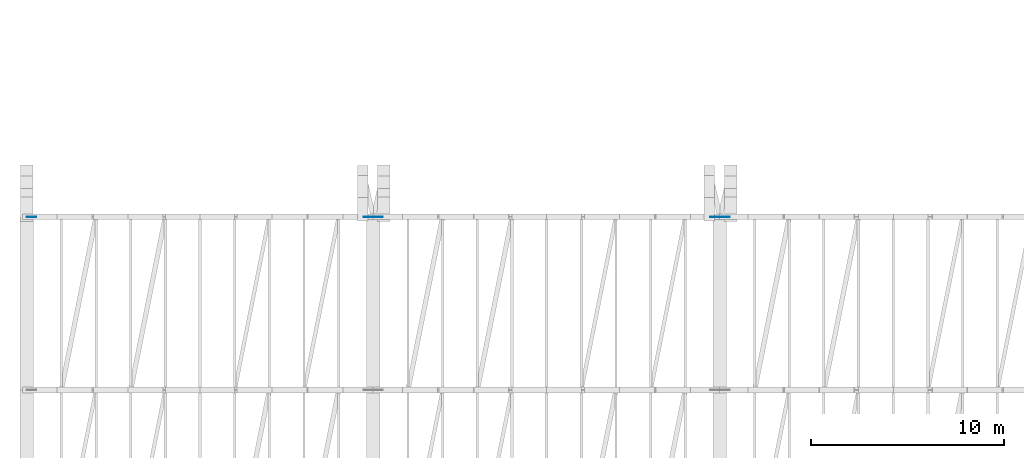
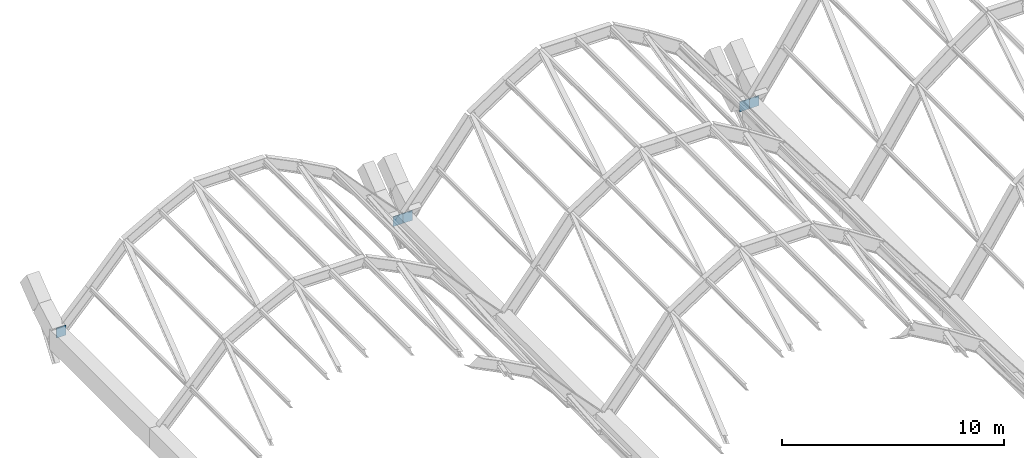
# One storey, part 71 of 86: 5 plates.
"""IFC4 building model written with IfcOpenShell, lengths in metres."""

from ifc_helpers import new_model, si_unit, direction, frame, origin, origin_2d, place, context, subcontext, project, spatial, rectangle, extrude, material, layer, layer_set, type_object, element, save


model = new_model("IFC4")

# Units and contexts
model_context = context("Model", 3, precision=1e-05, world=origin(), true_north=direction((0.0, 1.0)))
body_context = subcontext(model_context, "Body", "Model", "MODEL_VIEW")
ifc_project = project(units=[si_unit("LENGTHUNIT", "METRE"), si_unit("AREAUNIT", "SQUARE_METRE"), si_unit("VOLUMEUNIT", "CUBIC_METRE"), si_unit("PLANEANGLEUNIT", "RADIAN"), si_unit("MASSUNIT", "GRAM", prefix="KILO")], contexts=[model_context])

# Site, building, storey
site_placement = place(None, origin())
site = spatial("IfcSite", under=ifc_project, at=site_placement, CompositionType="ELEMENT")
building_placement = place(site_placement, origin())
building = spatial("IfcBuilding", under=site, at=building_placement, Name="Chuanluo Vaults Station", CompositionType="ELEMENT")
storey_placement = place(building_placement, frame((0.0, 0.0, 14.39990234375)))
storey = spatial("IfcBuildingStorey", under=building, at=storey_placement, Name="L03", CompositionType="ELEMENT", Elevation=14.39990234375)

# Plates
ifc_material = material(Name="Steel Q390C", Category="steel")
ifc_layer = layer(ifc_material, 0.028076171875)
ifc_layer_set = layer_set([ifc_layer], Name="Steel Q390C")
plate_type = type_object("IfcPlateType", Name="PLT-GUS-28", PredefinedType="USERDEFINED", material=ifc_layer_set)
for number, where, z_axis, x_axis, name in (
    (1, (0.25, 103.5, -0.875), (0.0, 0.0, 1.0), (1.0, 0.0, 0.0), "Vault V1 skewback node plate 9-W"),
    (2, (17.75, 103.5, -0.875), (0.0, 0.0, 1.0), (1.0, 0.0, 0.0), "Vault V1 skewback node plate 9-E"),
    (3, (18.25, 103.5, -0.875), (0.0, 0.0, 1.0), (1.0, 0.0, 0.0), "Vault V2 skewback node plate 9-W"),
    (4, (35.75, 103.5, -0.875), (0.0, 0.0, 1.0), (1.0, 0.0, 0.0), "Vault V2 skewback node plate 9-E"),
    (5, (36.25, 103.5, -0.875), (0.0, 0.0, 1.0), (1.0, 0.0, 0.0), "Vault V3 skewback node plate 9-W"),
):
    element("IfcPlate", number, at=place(storey_placement, frame(where, z_axis=z_axis, x_axis=x_axis)), inside=storey, type_object=plate_type, Name=name, ObjectType="GUSSET_PLATE", PredefinedType="USERDEFINED", context=body_context, shape_type="SweptSolid", body=[
        extrude(rectangle(XDim=0.5, YDim=0.028076171875, at=origin_2d()), origin(), (0.0, 0.0, 1.0), 0.550048828125),
    ])

save(model, "model.ifc")
